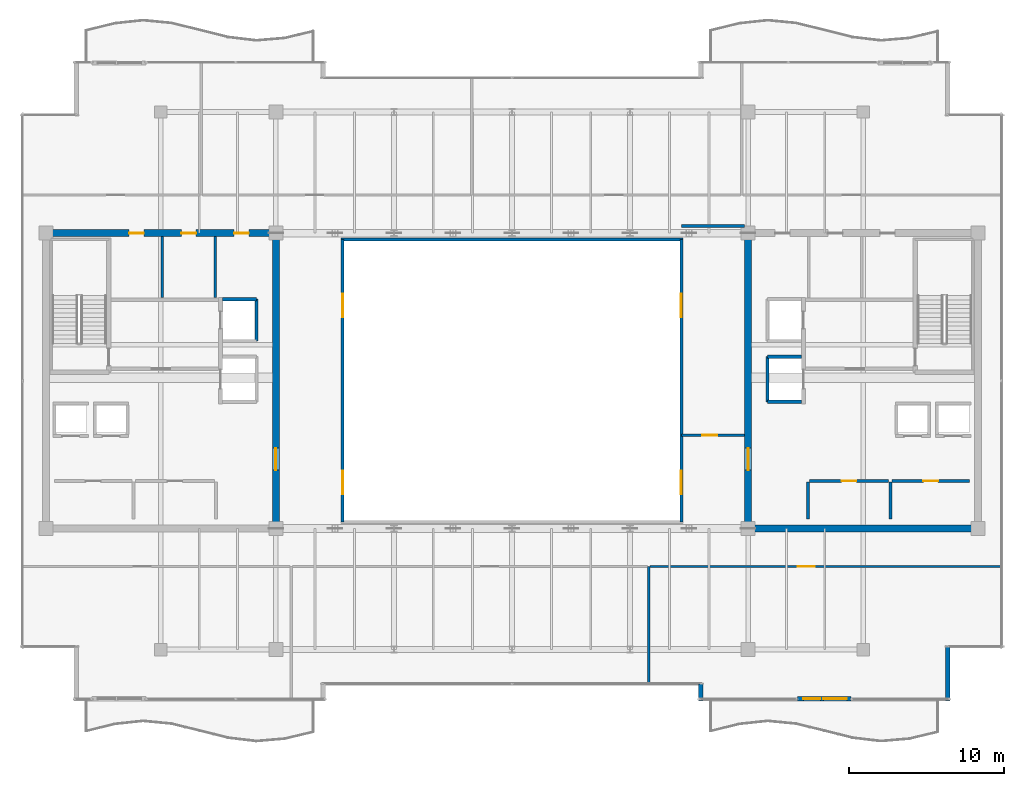
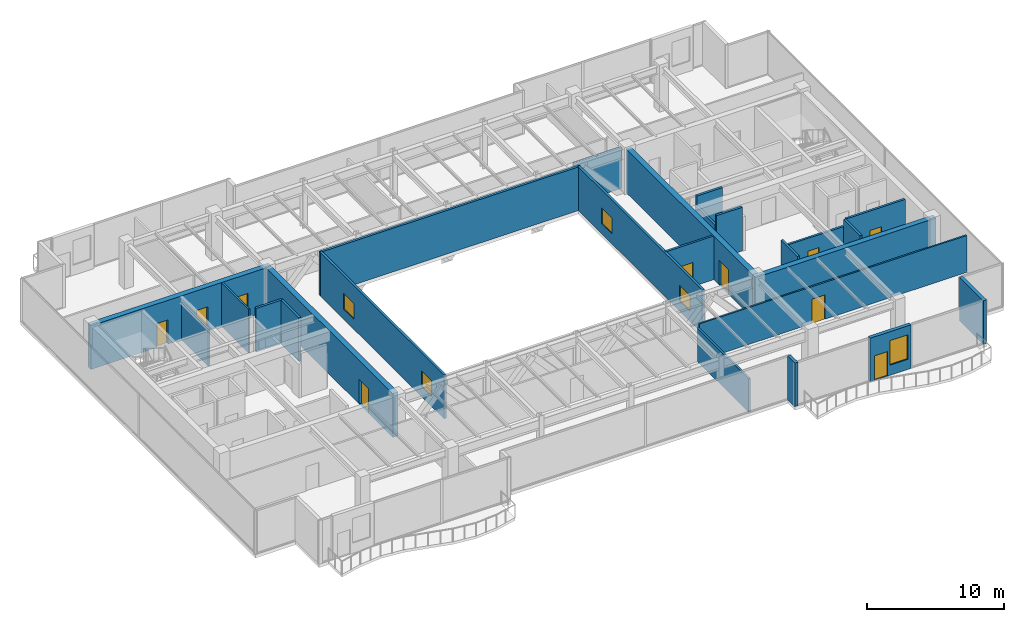
# One storey, part 26 of 31: 25 walls, 10 doors, 5 windows, 15 openings.
"""IFC4 building model written with IfcOpenShell, lengths in metres."""

from ifc_helpers import new_model, si_unit, direction, frame, frame_2d, origin, place, context, subcontext, project, spatial, rectangle, extrude, source, transform, mapped, material, layer, layer_set, type_object, type_shapes, element, fill, save


model = new_model("IFC4")

# Units and contexts
model_context = context("Model", 3, precision=1e-05, world=origin(), true_north=direction((0.0, 1.0)))
body_context = subcontext(model_context, "Body", "Model", "MODEL_VIEW")
ifc_project = project(units=[si_unit("LENGTHUNIT", "METRE"), si_unit("AREAUNIT", "SQUARE_METRE"), si_unit("VOLUMEUNIT", "CUBIC_METRE"), si_unit("PLANEANGLEUNIT", "RADIAN"), si_unit("MASSUNIT", "GRAM", prefix="KILO")], contexts=[model_context])

# Site, building, storey
site_placement = place(None, origin())
site = spatial("IfcSite", under=ifc_project, at=site_placement, CompositionType="ELEMENT")
building_placement = place(site_placement, origin())
building = spatial("IfcBuilding", under=site, at=building_placement, Name="Haelvirn Gate Laboratories", CompositionType="ELEMENT")
storey_placement = place(building_placement, frame((0.0, 0.0, 310.199951171875)))
storey = spatial("IfcBuildingStorey", under=building, at=storey_placement, Name="L74", CompositionType="ELEMENT", Elevation=310.199951171875)

# Wall, openings, door, window
ifc_material_1 = material(Name="Thermally-broken bronze aluminium rainscreen & mineral wool", Category="aluminium")
ifc_layer_1 = layer(ifc_material_1, 0.280029296875, Name="EW-TERR-280")
ifc_layer_set_1 = layer_set([ifc_layer_1], Name="Thermally-broken bronze aluminium rainscreen & mineral wool")
wall_type_1 = type_object("IfcWallType", Name="EW-TERR-280", PredefinedType="STANDARD", material=ifc_layer_set_1)
wall_1_placement = place(storey_placement, frame((55.77197265625, 3.840087890625, 0.0), z_axis=(0.0, 0.0, 1.0), x_axis=(1.0, 0.0, 0.0)))
wall_1 = element("IfcWall", 1, at=wall_1_placement, inside=storey, type_object=wall_type_1, Name="L74 Terrace Access Wall WB-EL-S", PredefinedType="STANDARD", context=body_context, shape_type="SweptSolid", body=[
    extrude(rectangle(XDim=3.4560546875, YDim=0.280029296875, at=frame_2d((1.72802734375, 0.0))), origin(), (0.0, 0.0, 1.0), 3.900146484375),
])
opening_1_placement = place(wall_1_placement, frame((0.3779296875, 0.0, 0.0)))
opening_1 = element("IfcOpeningElement", 2, at=opening_1_placement, cuts=wall_1, Name="Opening TD1", PredefinedType="OPENING", context=body_context, shape_type="SweptSolid", body=[
    extrude(rectangle(XDim=1.10009765625, YDim=2.199951171875, at=frame_2d((0.550048828125, 1.10009765625))), frame((0.0, 0.14990234375, 0.0), z_axis=(0.0, -1.0, 0.0), x_axis=(1.0, 0.0, 0.0)), (0.0, 0.0, 1.0), 0.300048828125),
])
opening_2_placement = place(wall_1_placement, frame((1.677978515625, 0.0, 0.89990234375)))
opening_2 = element("IfcOpeningElement", 3, at=opening_2_placement, cuts=wall_1, Name="Opening W3", PredefinedType="OPENING", context=body_context, shape_type="SweptSolid", body=[
    extrude(rectangle(XDim=1.5, YDim=2.199951171875, at=frame_2d((0.75, 1.10009765625))), frame((0.0, 0.14990234375, 0.0), z_axis=(0.0, -1.0, 0.0), x_axis=(1.0, 0.0, 0.0)), (0.0, 0.0, 1.0), 0.300048828125),
])
ifc_material_2 = material(Name="Thermally-broken bronze aluminium glazed terrace door", Category="aluminium")
door_type_1 = type_object("IfcDoorType", Name="DR-TERR-1100", OperationType="NOTDEFINED", PredefinedType="DOOR", material=ifc_material_2)
shared_shape_1 = source(origin(), body_context, "Body", "SweptSolid", [
    extrude(rectangle(XDim=1.10009765625, YDim=2.199951171875, at=frame_2d((0.550048828125, 1.10009765625))), frame((0.0, 0.02490234375, 0.0), z_axis=(0.0, -1.0, 0.0), x_axis=(1.0, 0.0, 0.0)), (0.0, 0.0, 1.0), 0.050048828125),
])
type_shapes(door_type_1, [shared_shape_1])
door_1_placement = place(opening_1_placement, origin())
door_1 = element("IfcDoor", 4, at=door_1_placement, inside=storey, type_object=door_type_1, Name="L74 Terrace Access Door WB-EL-S", OperationType="SINGLE_SWING_LEFT", OverallHeight=2.199951171875, OverallWidth=1.10009765625, PredefinedType="DOOR", context=body_context, shape_type="MappedRepresentation", body=[
    mapped(shared_shape_1, transform((0.0, 0.0, 0.0), scale=1.0)),
])
fill(opening_1, door_1)
ifc_material_3 = material(Name="Bronze anodised aluminium & triple low-E glass", Category="aluminium")
window_type_1 = type_object("IfcWindowType", Name="WIN-TERR-1600", PartitioningType="SINGLE_PANEL", PredefinedType="WINDOW", material=ifc_material_3)
shared_shape_2 = source(origin(), body_context, "Body", "SweptSolid", [
    extrude(rectangle(XDim=1.5, YDim=2.199951171875, at=frame_2d((0.75, 1.10009765625))), frame((0.0, 0.030029296875, 0.0), z_axis=(0.0, -1.0, 0.0), x_axis=(1.0, 0.0, 0.0)), (0.0, 0.0, 1.0), 0.06005859375),
])
type_shapes(window_type_1, [shared_shape_2])
window_1_placement = place(opening_2_placement, origin())
window_1 = element("IfcWindow", 5, at=window_1_placement, inside=storey, type_object=window_type_1, Name="L74 Terrace Vision Window WB-EL-S", OverallHeight=2.199951171875, OverallWidth=1.5, PartitioningType="SINGLE_PANEL", PredefinedType="WINDOW", context=body_context, shape_type="MappedRepresentation", body=[
    mapped(shared_shape_2, transform((0.0, 0.0, 0.0), scale=1.0)),
])
fill(opening_2, window_1)

# Walls
wall_2_placement = place(storey_placement, frame((49.5400390625, 4.79296875, 0.0), z_axis=(0.0, 0.0, 1.0), x_axis=(0.0, -1.0, 0.0)))
element("IfcWall", 6, at=wall_2_placement, inside=storey, type_object=wall_type_1, Name="L74 Atrium Recess Bronze Return Wall 03", PredefinedType="STANDARD", context=body_context, shape_type="SweptSolid", body=[
    extrude(rectangle(XDim=1.093017578125, YDim=0.280029296875, at=frame_2d((0.54638671875, 0.0))), origin(), (0.0, 0.0, 1.0), 3.900146484375),
])
wall_3_placement = place(storey_placement, frame((65.4599609375, 3.699951171875, 0.0), z_axis=(0.0, 0.0, 1.0), x_axis=(0.0, 1.0, 0.0)))
element("IfcWall", 7, at=wall_3_placement, inside=storey, type_object=wall_type_1, Name="L74 Atrium Recess Bronze Return Wall 05", PredefinedType="STANDARD", context=body_context, shape_type="SweptSolid", body=[
    extrude(rectangle(XDim=3.488037109375, YDim=0.280029296875, at=frame_2d((1.744140625, 0.0))), origin(), (0.0, 0.0, 1.0), 3.900146484375),
])
ifc_material_4 = material(Name="Double-layer acoustic gypsum laboratory partition", Category="gypsum")
ifc_layer_2 = layer(ifc_material_4, 0.159912109375, Name="IW-ACOUST-160")
ifc_layer_set_2 = layer_set([ifc_layer_2], Name="Double-layer acoustic gypsum laboratory partition")
wall_type_2 = type_object("IfcWallType", Name="IW-ACOUST-160", PredefinedType="PARTITIONING", material=ifc_layer_set_2)
wall_4_placement = place(storey_placement, frame((46.199951171875, 4.81005859375, 0.0), z_axis=(0.0, 0.0, 1.0), x_axis=(0.0, 1.0, 0.0)))
element("IfcWall", 8, at=wall_4_placement, inside=storey, type_object=wall_type_2, Name="L74 Interior Wall IW-L74-SDIV-02", PredefinedType="PARTITIONING", context=body_context, shape_type="SweptSolid", body=[
    extrude(rectangle(XDim=7.530029296875, YDim=0.159912109375, at=frame_2d((3.76513671875, 0.0))), origin(), (0.0, 0.0, 1.0), 2.985107421875),
])
ifc_material_5 = material(Name="Fire-rated acoustic gypsum board partition", Category="gypsum")
ifc_layer_3 = layer(ifc_material_5, 0.175048828125, Name="IW-ACOUST-180")
ifc_layer_set_3 = layer_set([ifc_layer_3], Name="Fire-rated acoustic gypsum board partition")
wall_type_3 = type_object("IfcWallType", Name="IW-ACOUST-180", PredefinedType="PARTITIONING", material=ifc_layer_set_3)
wall_5_placement = place(storey_placement, frame((48.300048828125, 34.260009765625, 0.0), z_axis=(0.0, 0.0, 1.0), x_axis=(1.0, 0.0, 0.0)))
element("IfcWall", 9, at=wall_5_placement, inside=storey, type_object=wall_type_3, Name="L74 Interior Wall IW-L74-EPOD-N", PredefinedType="PARTITIONING", context=body_context, shape_type="SweptSolid", body=[
    extrude(rectangle(XDim=4.074951171875, YDim=0.175048828125, at=frame_2d((2.03759765625, 0.0))), origin(), (0.0, 0.0, 1.0), 3.635009765625),
])

# Wall, opening, door
wall_6_placement = place(storey_placement, frame((48.300048828125, 20.800048828125, 0.0), z_axis=(0.0, 0.0, 1.0), x_axis=(1.0, 0.0, 0.0)))
wall_6 = element("IfcWall", 10, at=wall_6_placement, inside=storey, type_object=wall_type_3, Name="L74 Interior Wall IW-L74-EPOD-S", PredefinedType="PARTITIONING", context=body_context, shape_type="SweptSolid", body=[
    extrude(rectangle(XDim=4.074951171875, YDim=0.175048828125, at=frame_2d((2.03759765625, 0.0))), origin(), (0.0, 0.0, 1.0), 3.900146484375),
])
opening_3_placement = place(wall_6_placement, frame((1.35009765625, 0.0, 0.0)))
opening_3 = element("IfcOpeningElement", 11, at=opening_3_placement, cuts=wall_6, Name="Opening FD4", PredefinedType="OPENING", context=body_context, shape_type="SweptSolid", body=[
    extrude(rectangle(XDim=0.949951171875, YDim=2.14990234375, at=frame_2d((0.47509765625, 1.074951171875))), frame((0.0, 0.09765625, 0.0), z_axis=(0.0, -1.0, 0.0), x_axis=(1.0, 0.0, 0.0)), (0.0, 0.0, 1.0), 0.195068359375),
])
ifc_material_6 = material(Name="Fire-rated steel SM355 core service door", Category="steel")
door_type_2 = type_object("IfcDoorType", Name="DR-FD-950", OperationType="NOTDEFINED", PredefinedType="DOOR", material=ifc_material_6)
shared_shape_3 = source(origin(), body_context, "Body", "SweptSolid", [
    extrude(rectangle(XDim=0.949951171875, YDim=2.14990234375, at=frame_2d((0.47509765625, 1.074951171875))), frame((0.0, 0.02490234375, 0.0), z_axis=(0.0, -1.0, 0.0), x_axis=(1.0, 0.0, 0.0)), (0.0, 0.0, 1.0), 0.050048828125),
])
type_shapes(door_type_2, [shared_shape_3])
door_2_placement = place(opening_3_placement, origin())
door_2 = element("IfcDoor", 12, at=door_2_placement, inside=storey, type_object=door_type_2, Name="L74 High-Zone Collaboration Suite Door", OperationType="SINGLE_SWING_LEFT", OverallHeight=2.14990234375, OverallWidth=0.949951171875, PredefinedType="DOOR", context=body_context, shape_type="MappedRepresentation", body=[
    mapped(shared_shape_3, transform((0.0, 0.0, 0.0), scale=1.0)),
])
fill(opening_3, door_2)

# Wall, openings, windows
ifc_material_7 = material(Name="Tempered fire-rated borosilicate glass & anodised aluminium", Category="aluminium")
ifc_layer_4 = layer(ifc_material_7, 0.195068359375, Name="IW-GLAZ-200")
ifc_layer_set_4 = layer_set([ifc_layer_4], Name="Tempered fire-rated borosilicate glass & anodised aluminium")
wall_type_4 = type_object("IfcWallType", Name="IW-GLAZ-200", PredefinedType="SOLIDWALL", material=ifc_layer_set_4)
wall_7_placement = place(storey_placement, frame((26.5, 15.199951171875, 0.0), z_axis=(0.0, 0.0, 1.0), x_axis=(0.0, 1.0, 0.0)))
wall_7 = element("IfcWall", 13, at=wall_7_placement, inside=storey, type_object=wall_type_4, Name="L74 Interior Wall IW-L74-ATRIUM-W", PredefinedType="SOLIDWALL", context=body_context, shape_type="SweptSolid", body=[
    extrude(rectangle(XDim=18.199951171875, YDim=0.195068359375, at=frame_2d((9.10009765625, 0.0))), origin(), (0.0, 0.0, 1.0), 3.900146484375),
])
opening_4_placement = place(wall_7_placement, frame((1.800048828125, 0.0, 0.89990234375)))
opening_4 = element("IfcOpeningElement", 14, at=opening_4_placement, cuts=wall_7, Name="Opening W5", PredefinedType="OPENING", context=body_context, shape_type="SweptSolid", body=[
    extrude(rectangle(XDim=1.5, YDim=1.39990234375, at=frame_2d((0.75, 0.699951171875))), frame((0.0, 0.107421875, 0.0), z_axis=(0.0, -1.0, 0.0), x_axis=(1.0, 0.0, 0.0)), (0.0, 0.0, 1.0), 0.215087890625),
])
opening_5_placement = place(wall_7_placement, frame((13.199951171875, 0.0, 0.89990234375)))
opening_5 = element("IfcOpeningElement", 15, at=opening_5_placement, cuts=wall_7, Name="Opening W5", PredefinedType="OPENING", context=body_context, shape_type="SweptSolid", body=[
    extrude(rectangle(XDim=1.5, YDim=1.39990234375, at=frame_2d((0.75, 0.699951171875))), frame((0.0, 0.107421875, 0.0), z_axis=(0.0, -1.0, 0.0), x_axis=(1.0, 0.0, 0.0)), (0.0, 0.0, 1.0), 0.215087890625),
])
ifc_material_8 = material(Name="Fire-rated EI 120 borosilicate atrium vision glazing", Category="glass")
window_type_2 = type_object("IfcWindowType", Name="WN-ATR-1500", PartitioningType="SINGLE_PANEL", PredefinedType="WINDOW", material=ifc_material_8)
shared_shape_4 = source(origin(), body_context, "Body", "SweptSolid", [
    extrude(rectangle(XDim=1.5, YDim=1.39990234375, at=frame_2d((0.75, 0.699951171875))), frame((0.0, 0.030029296875, 0.0), z_axis=(0.0, -1.0, 0.0), x_axis=(1.0, 0.0, 0.0)), (0.0, 0.0, 1.0), 0.06005859375),
])
type_shapes(window_type_2, [shared_shape_4])
window_2_placement = place(opening_4_placement, origin())
window_2 = element("IfcWindow", 16, at=window_2_placement, inside=storey, type_object=window_type_2, Name="L74 Atrium Observation Window 1", OverallHeight=1.39990234375, OverallWidth=1.5, PartitioningType="SINGLE_PANEL", PredefinedType="WINDOW", context=body_context, shape_type="MappedRepresentation", body=[
    mapped(shared_shape_4, transform((0.0, 0.0, 0.0), scale=1.0)),
])
fill(opening_4, window_2)
window_3_placement = place(opening_5_placement, origin())
window_3 = element("IfcWindow", 17, at=window_3_placement, inside=storey, type_object=window_type_2, Name="L74 Atrium Observation Window 2", OverallHeight=1.39990234375, OverallWidth=1.5, PartitioningType="SINGLE_PANEL", PredefinedType="WINDOW", context=body_context, shape_type="MappedRepresentation", body=[
    mapped(shared_shape_4, transform((0.0, 0.0, 0.0), scale=1.0)),
])
fill(opening_5, window_3)

wall_8_placement = place(storey_placement, frame((48.300048828125, 15.199951171875, 0.0), z_axis=(0.0, 0.0, 1.0), x_axis=(0.0, 1.0, 0.0)))
wall_8 = element("IfcWall", 18, at=wall_8_placement, inside=storey, type_object=wall_type_4, Name="L74 Interior Wall IW-L74-ATRIUM-E", PredefinedType="SOLIDWALL", context=body_context, shape_type="SweptSolid", body=[
    extrude(rectangle(XDim=18.199951171875, YDim=0.195068359375, at=frame_2d((9.10009765625, 0.0))), origin(), (0.0, 0.0, 1.0), 3.900146484375),
])
opening_6_placement = place(wall_8_placement, frame((1.800048828125, 0.0, 0.89990234375)))
opening_6 = element("IfcOpeningElement", 19, at=opening_6_placement, cuts=wall_8, Name="Opening W5", PredefinedType="OPENING", context=body_context, shape_type="SweptSolid", body=[
    extrude(rectangle(XDim=1.5, YDim=1.39990234375, at=frame_2d((0.75, 0.699951171875))), frame((0.0, 0.107421875, 0.0), z_axis=(0.0, -1.0, 0.0), x_axis=(1.0, 0.0, 0.0)), (0.0, 0.0, 1.0), 0.215087890625),
])
opening_7_placement = place(wall_8_placement, frame((13.199951171875, 0.0, 0.89990234375)))
opening_7 = element("IfcOpeningElement", 20, at=opening_7_placement, cuts=wall_8, Name="Opening W5", PredefinedType="OPENING", context=body_context, shape_type="SweptSolid", body=[
    extrude(rectangle(XDim=1.5, YDim=1.39990234375, at=frame_2d((0.75, 0.699951171875))), frame((0.0, 0.107421875, 0.0), z_axis=(0.0, -1.0, 0.0), x_axis=(1.0, 0.0, 0.0)), (0.0, 0.0, 1.0), 0.215087890625),
])
window_4_placement = place(opening_6_placement, origin())
window_4 = element("IfcWindow", 21, at=window_4_placement, inside=storey, type_object=window_type_2, Name="L74 Atrium Observation Window 1", OverallHeight=1.39990234375, OverallWidth=1.5, PartitioningType="SINGLE_PANEL", PredefinedType="WINDOW", context=body_context, shape_type="MappedRepresentation", body=[
    mapped(shared_shape_4, transform((0.0, 0.0, 0.0), scale=1.0)),
])
fill(opening_6, window_4)
window_5_placement = place(opening_7_placement, origin())
window_5 = element("IfcWindow", 22, at=window_5_placement, inside=storey, type_object=window_type_2, Name="L74 Atrium Observation Window 2", OverallHeight=1.39990234375, OverallWidth=1.5, PartitioningType="SINGLE_PANEL", PredefinedType="WINDOW", context=body_context, shape_type="MappedRepresentation", body=[
    mapped(shared_shape_4, transform((0.0, 0.0, 0.0), scale=1.0)),
])
fill(opening_7, window_5)

# Wall
wall_9_placement = place(storey_placement, frame((26.39990234375, 33.39990234375, 0.0), z_axis=(0.0, 0.0, 1.0), x_axis=(1.0, 0.0, 0.0)))
element("IfcWall", 23, at=wall_9_placement, inside=storey, type_object=wall_type_4, Name="L74 Interior Wall IW-L74-ATRIUM-N", PredefinedType="SOLIDWALL", context=body_context, shape_type="SweptSolid", body=[
    extrude(rectangle(XDim=22.0, YDim=0.195068359375, at=frame_2d((11.0, 0.0))), origin(), (0.0, 0.0, 1.0), 3.900146484375),
])

# Wall, opening, door
ifc_material_9 = material(Name="Acoustic mineral-wool gypsum board partition", Category="gypsum")
ifc_layer_5 = layer(ifc_material_9, 0.139892578125, Name="IW-PART-140")
ifc_layer_set_5 = layer_set([ifc_layer_5], Name="Acoustic mineral-wool gypsum board partition")
wall_type_5 = type_object("IfcWallType", Name="IW-PART-140", PredefinedType="PARTITIONING", material=ifc_layer_set_5)
wall_10_placement = place(storey_placement, frame((46.280029296875, 12.340087890625, 0.0), z_axis=(0.0, 0.0, 1.0), x_axis=(1.0, 0.0, 0.0)))
wall_10 = element("IfcWall", 24, at=wall_10_placement, inside=storey, type_object=wall_type_5, Name="L74 Interior Wall IW-L74-SCORR-03", PredefinedType="PARTITIONING", context=body_context, shape_type="SweptSolid", body=[
    extrude(rectangle(XDim=22.60986328125, YDim=0.139892578125, at=frame_2d((11.304931640625, 0.0))), origin(), (0.0, 0.0, 1.0), 3.297119140625),
])
opening_8_placement = place(wall_10_placement, frame((9.50634765625, 0.0, 0.0)))
opening_8 = element("IfcOpeningElement", 25, at=opening_8_placement, cuts=wall_10, Name="Opening D1", PredefinedType="OPENING", context=body_context, shape_type="SweptSolid", body=[
    extrude(rectangle(XDim=1.10009765625, YDim=2.179931640625, at=frame_2d((0.550048828125, 1.08984375))), frame((0.0, 0.080078125, 0.0), z_axis=(0.0, -1.0, 0.0), x_axis=(1.0, 0.0, 0.0)), (0.0, 0.0, 1.0), 0.159912109375),
])
ifc_material_10 = material(Name="Vision-panel acoustic solid-core timber lab door", Category="wood")
door_type_3 = type_object("IfcDoorType", Name="DR-LAB-1100", OperationType="NOTDEFINED", PredefinedType="DOOR", material=ifc_material_10)
shared_shape_5 = source(origin(), body_context, "Body", "SweptSolid", [
    extrude(rectangle(XDim=1.10009765625, YDim=2.179931640625, at=frame_2d((0.550048828125, 1.08984375))), frame((0.0, 0.02490234375, 0.0), z_axis=(0.0, -1.0, 0.0), x_axis=(1.0, 0.0, 0.0)), (0.0, 0.0, 1.0), 0.050048828125),
])
type_shapes(door_type_3, [shared_shape_5])
door_3_placement = place(opening_8_placement, origin())
door_3 = element("IfcDoor", 26, at=door_3_placement, inside=storey, type_object=door_type_3, Name="L74 Protocol Briefing Training Room Door S3", OperationType="SINGLE_SWING_LEFT", OverallHeight=2.179931640625, OverallWidth=1.10009765625, PredefinedType="DOOR", context=body_context, shape_type="MappedRepresentation", body=[
    mapped(shared_shape_5, transform((0.0, 0.0, 0.0), scale=1.0)),
])
fill(opening_8, door_3)

# Walls
ifc_material_11 = material(Name="Cement-board restroom plumbing chase wall", Category="gypsum")
ifc_layer_6 = layer(ifc_material_11, 0.155029296875, Name="IW-PLUMB-160")
ifc_layer_set_6 = layer_set([ifc_layer_6], Name="Cement-board restroom plumbing chase wall")
wall_type_6 = type_object("IfcWallType", Name="IW-PLUMB-160", PredefinedType="PLUMBINGWALL", material=ifc_layer_set_6)
wall_11_placement = place(storey_placement, frame((14.889892578125, 29.64990234375, 0.0), z_axis=(0.0, 0.0, 1.0), x_axis=(0.0, 1.0, 0.0)))
element("IfcWall", 27, at=wall_11_placement, inside=storey, type_object=wall_type_6, Name="L74 Interior Wall IW-L74-W-CDIV-1", PredefinedType="PLUMBINGWALL", context=body_context, shape_type="SweptSolid", body=[
    extrude(rectangle(XDim=3.93017578125, YDim=0.155029296875, at=frame_2d((1.965087890625, 0.0))), origin(), (0.0, 0.0, 1.0), 3.297119140625),
])
wall_12_placement = place(storey_placement, frame((18.2900390625, 29.64990234375, 0.0), z_axis=(0.0, 0.0, 1.0), x_axis=(0.0, 1.0, 0.0)))
element("IfcWall", 28, at=wall_12_placement, inside=storey, type_object=wall_type_6, Name="L74 Interior Wall IW-L74-W-CDIV-2", PredefinedType="PLUMBINGWALL", context=body_context, shape_type="SweptSolid", body=[
    extrude(rectangle(XDim=3.93017578125, YDim=0.155029296875, at=frame_2d((1.965087890625, 0.0))), origin(), (0.0, 0.0, 1.0), 3.900146484375),
])

# Wall, opening, door
ifc_material_12 = material(Name="Concrete C40/50", Category="concrete")
ifc_layer_7 = layer(ifc_material_12, 0.179931640625, Name="IW-SHAFT-180")
ifc_layer_set_7 = layer_set([ifc_layer_7], Name="Concrete C40/50")
wall_type_7 = type_object("IfcWallType", Name="IW-SHAFT-180", PredefinedType="SOLIDWALL", material=ifc_layer_set_7)
wall_13_placement = place(storey_placement, frame((61.85009765625, 17.85009765625, 0.0), z_axis=(0.0, 0.0, 1.0), x_axis=(1.0, 0.0, 0.0)))
wall_13 = element("IfcWall", 29, at=wall_13_placement, inside=storey, type_object=wall_type_7, Name="L74 Interior Wall IW-L74-E-FREED-HN-1", PredefinedType="SOLIDWALL", context=body_context, shape_type="SweptSolid", body=[
    extrude(rectangle(XDim=5.0, YDim=0.179931640625, at=frame_2d((2.5, 0.0))), origin(), (0.0, 0.0, 1.0), 3.900146484375),
])
opening_9_placement = place(wall_13_placement, frame((2.02490234375, 0.0, 0.0)))
opening_9 = element("IfcOpeningElement", 30, at=opening_9_placement, cuts=wall_13, Name="Opening FD4", PredefinedType="OPENING", context=body_context, shape_type="SweptSolid", body=[
    extrude(rectangle(XDim=0.949951171875, YDim=2.14990234375, at=frame_2d((0.47509765625, 1.074951171875))), frame((0.0, 0.10009765625, 0.0), z_axis=(0.0, -1.0, 0.0), x_axis=(1.0, 0.0, 0.0)), (0.0, 0.0, 1.0), 0.199951171875),
])
door_4_placement = place(opening_9_placement, origin())
door_4 = element("IfcDoor", 31, at=door_4_placement, inside=storey, type_object=door_type_2, Name="L74 Cryogenic Specimen Biobank Door", OperationType="SINGLE_SWING_LEFT", OverallHeight=2.14990234375, OverallWidth=0.949951171875, PredefinedType="DOOR", context=body_context, shape_type="MappedRepresentation", body=[
    mapped(shared_shape_3, transform((0.0, 0.0, 0.0), scale=1.0)),
])
fill(opening_9, door_4)

# Wall
wall_14_placement = place(storey_placement, frame((61.760009765625, 15.39990234375, 0.0), z_axis=(0.0, 0.0, 1.0), x_axis=(0.0, 1.0, 0.0)))
element("IfcWall", 32, at=wall_14_placement, inside=storey, type_object=wall_type_7, Name="L74 Interior Wall IW-L74-E-FREED-HE-1", PredefinedType="SOLIDWALL", context=body_context, shape_type="SweptSolid", body=[
    extrude(rectangle(XDim=2.400146484375, YDim=0.179931640625, at=frame_2d((1.2001953125, 0.0))), origin(), (0.0, 0.0, 1.0), 3.900146484375),
])

# Wall, opening, door
wall_15_placement = place(storey_placement, frame((56.550048828125, 17.85009765625, 0.0), z_axis=(0.0, 0.0, 1.0), x_axis=(1.0, 0.0, 0.0)))
wall_15 = element("IfcWall", 33, at=wall_15_placement, inside=storey, type_object=wall_type_7, Name="L74 Interior Wall IW-L74-E-FREED-HN-2", PredefinedType="SOLIDWALL", context=body_context, shape_type="SweptSolid", body=[
    extrude(rectangle(XDim=5.099853515625, YDim=0.179931640625, at=frame_2d((2.5498046875, 0.0))), origin(), (0.0, 0.0, 1.0), 3.297119140625),
])
opening_10_placement = place(wall_15_placement, frame((2.074951171875, 0.0, 0.0)))
opening_10 = element("IfcOpeningElement", 34, at=opening_10_placement, cuts=wall_15, Name="Opening FD4", PredefinedType="OPENING", context=body_context, shape_type="SweptSolid", body=[
    extrude(rectangle(XDim=0.949951171875, YDim=2.14990234375, at=frame_2d((0.47509765625, 1.074951171875))), frame((0.0, 0.10009765625, 0.0), z_axis=(0.0, -1.0, 0.0), x_axis=(1.0, 0.0, 0.0)), (0.0, 0.0, 1.0), 0.199951171875),
])
door_5_placement = place(opening_10_placement, origin())
door_5 = element("IfcDoor", 35, at=door_5_placement, inside=storey, type_object=door_type_2, Name="L74 Cryo-Assay Preparation Laboratory Door", OperationType="SINGLE_SWING_RIGHT", OverallHeight=2.14990234375, OverallWidth=0.949951171875, PredefinedType="DOOR", context=body_context, shape_type="MappedRepresentation", body=[
    mapped(shared_shape_3, transform((0.0, 0.0, 0.0), scale=1.0)),
])
fill(opening_10, door_5)

# Walls
wall_16_placement = place(storey_placement, frame((56.4599609375, 15.39990234375, 0.0), z_axis=(0.0, 0.0, 1.0), x_axis=(0.0, 1.0, 0.0)))
element("IfcWall", 36, at=wall_16_placement, inside=storey, type_object=wall_type_7, Name="L74 Interior Wall IW-L74-E-FREED-HE-2", PredefinedType="SOLIDWALL", context=body_context, shape_type="SweptSolid", body=[
    extrude(rectangle(XDim=2.400146484375, YDim=0.179931640625, at=frame_2d((1.2001953125, 0.0))), origin(), (0.0, 0.0, 1.0), 3.900146484375),
])
ifc_layer_8 = layer(ifc_material_12, 0.199951171875, Name="IW-SHAFT-200")
ifc_layer_set_8 = layer_set([ifc_layer_8], Name="Concrete C40/50")
wall_type_8 = type_object("IfcWallType", Name="IW-SHAFT-200", PredefinedType="SOLIDWALL", material=ifc_layer_set_8)
wall_17_placement = place(storey_placement, frame((20.949951171875, 26.85009765625, 0.0), z_axis=(0.0, 0.0, 1.0), x_axis=(0.0, 1.0, 0.0)))
element("IfcWall", 37, at=wall_17_placement, inside=storey, type_object=wall_type_8, Name="L74 Interior Wall IW-L74-FL1-BK", PredefinedType="SOLIDWALL", context=body_context, shape_type="SweptSolid", body=[
    extrude(rectangle(XDim=2.699951171875, YDim=0.199951171875, at=frame_2d((1.35009765625, 0.0))), origin(), (0.0, 0.0, 1.0), 3.900146484375),
])
wall_18_placement = place(storey_placement, frame((18.760009765625, 29.550048828125, 0.0), z_axis=(0.0, 0.0, 1.0), x_axis=(1.0, 0.0, 0.0)))
element("IfcWall", 38, at=wall_18_placement, inside=storey, type_object=wall_type_8, Name="L74 Interior Wall IW-L74-FL1-N", PredefinedType="SOLIDWALL", context=body_context, shape_type="SweptSolid", body=[
    extrude(rectangle(XDim=2.18994140625, YDim=0.199951171875, at=frame_2d((1.094970703125, 0.0))), origin(), (0.0, 0.0, 1.0), 3.900146484375),
])
wall_19_placement = place(storey_placement, frame((53.85009765625, 22.949951171875, 0.0), z_axis=(0.0, 0.0, 1.0), x_axis=(0.0, 1.0, 0.0)))
element("IfcWall", 39, at=wall_19_placement, inside=storey, type_object=wall_type_8, Name="L74 Interior Wall IW-L74-SL2-BK", PredefinedType="SOLIDWALL", context=body_context, shape_type="SweptSolid", body=[
    extrude(rectangle(XDim=2.900146484375, YDim=0.199951171875, at=frame_2d((1.4501953125, 0.0))), origin(), (0.0, 0.0, 1.0), 3.03515625),
])
for number, where, z_axis, x_axis, name in (
    (40, (53.85009765625, 25.85009765625, 0.0), (0.0, 0.0, 1.0), (1.0, 0.0, 0.0), "L74 Interior Wall IW-L74-SL2-N"),
    (41, (53.85009765625, 22.949951171875, 0.0), (0.0, 0.0, 1.0), (1.0, 0.0, 0.0), "L74 Interior Wall IW-L74-SL2-S"),
):
    element("IfcWall", number, at=place(storey_placement, frame(where, z_axis=z_axis, x_axis=x_axis)), inside=storey, type_object=wall_type_8, Name=name, PredefinedType="SOLIDWALL", context=body_context, shape_type="SweptSolid", body=[
        extrude(rectangle(XDim=2.18994140625, YDim=0.199951171875, at=frame_2d((1.094970703125, 0.0))), origin(), (0.0, 0.0, 1.0), 3.900146484375),
    ])

# Wall, openings, doors
ifc_material_13 = material(Name="Concrete C50/60", Category="concrete")
ifc_layer_9 = layer(ifc_material_13, 0.449951171875, Name="SW-CORE-450")
ifc_layer_set_9 = layer_set([ifc_layer_9], Name="Concrete C50/60")
wall_type_9 = type_object("IfcWallType", Name="SW-CORE-450", PredefinedType="SHEAR", material=ifc_layer_set_9)
wall_20_placement = place(storey_placement, frame((7.175048828125, 33.800048828125, 0.0), z_axis=(0.0, 0.0, 1.0), x_axis=(1.0, 0.0, 0.0)))
wall_20 = element("IfcWall", 42, at=wall_20_placement, inside=storey, type_object=wall_type_9, Name="L74 W Core Shear Wall N", PredefinedType="SHEAR", context=body_context, shape_type="SweptSolid", body=[
    extrude(rectangle(XDim=15.25, YDim=0.449951171875, at=frame_2d((7.625, 0.0))), origin(), (0.0, 0.0, 1.0), 3.900146484375),
])
opening_11_placement = place(wall_20_placement, frame((5.574951171875, 0.0, 0.0)))
opening_11 = element("IfcOpeningElement", 43, at=opening_11_placement, cuts=wall_20, Name="Opening FD4", PredefinedType="OPENING", context=body_context, shape_type="SweptSolid", body=[
    extrude(rectangle(XDim=0.949951171875, YDim=2.14990234375, at=frame_2d((0.47509765625, 1.074951171875))), frame((0.0, 0.23486328125, 0.0), z_axis=(0.0, -1.0, 0.0), x_axis=(1.0, 0.0, 0.0)), (0.0, 0.0, 1.0), 0.469970703125),
])
opening_12_placement = place(wall_20_placement, frame((8.93994140625, 0.0, 0.0)))
opening_12 = element("IfcOpeningElement", 44, at=opening_12_placement, cuts=wall_20, Name="Opening FD4", PredefinedType="OPENING", context=body_context, shape_type="SweptSolid", body=[
    extrude(rectangle(XDim=0.949951171875, YDim=2.14990234375, at=frame_2d((0.47509765625, 1.074951171875))), frame((0.0, 0.23486328125, 0.0), z_axis=(0.0, -1.0, 0.0), x_axis=(1.0, 0.0, 0.0)), (0.0, 0.0, 1.0), 0.469970703125),
])
opening_13_placement = place(wall_20_placement, frame((12.340087890625, 0.0, 0.0)))
opening_13 = element("IfcOpeningElement", 45, at=opening_13_placement, cuts=wall_20, Name="Opening FD4", PredefinedType="OPENING", context=body_context, shape_type="SweptSolid", body=[
    extrude(rectangle(XDim=0.949951171875, YDim=2.14990234375, at=frame_2d((0.47509765625, 1.074951171875))), frame((0.0, 0.23486328125, 0.0), z_axis=(0.0, -1.0, 0.0), x_axis=(1.0, 0.0, 0.0)), (0.0, 0.0, 1.0), 0.469970703125),
])
door_6_placement = place(opening_11_placement, origin())
door_6 = element("IfcDoor", 46, at=door_6_placement, inside=storey, type_object=door_type_2, Name="L74 Male Restroom Fire Door", OperationType="SINGLE_SWING_LEFT", OverallHeight=2.14990234375, OverallWidth=0.949951171875, PredefinedType="DOOR", context=body_context, shape_type="MappedRepresentation", body=[
    mapped(shared_shape_3, transform((0.0, 0.0, 0.0), scale=1.0)),
])
fill(opening_11, door_6)
door_7_placement = place(opening_12_placement, origin())
door_7 = element("IfcDoor", 47, at=door_7_placement, inside=storey, type_object=door_type_2, Name="L74 Female Restroom Fire Door", OperationType="SINGLE_SWING_RIGHT", OverallHeight=2.14990234375, OverallWidth=0.949951171875, PredefinedType="DOOR", context=body_context, shape_type="MappedRepresentation", body=[
    mapped(shared_shape_3, transform((0.0, 0.0, 0.0), scale=1.0)),
])
fill(opening_12, door_7)
door_8_placement = place(opening_13_placement, origin())
door_8 = element("IfcDoor", 48, at=door_8_placement, inside=storey, type_object=door_type_2, Name="L74 Accessible Restroom Fire Door", OperationType="SINGLE_SWING_LEFT", OverallHeight=2.14990234375, OverallWidth=0.949951171875, PredefinedType="DOOR", context=body_context, shape_type="MappedRepresentation", body=[
    mapped(shared_shape_3, transform((0.0, 0.0, 0.0), scale=1.0)),
])
fill(opening_13, door_8)

# Wall, opening, door
wall_21_placement = place(storey_placement, frame((22.199951171875, 15.02490234375, 0.0), z_axis=(0.0, 0.0, 1.0), x_axis=(0.0, 1.0, 0.0)))
wall_21 = element("IfcWall", 49, at=wall_21_placement, inside=storey, type_object=wall_type_9, Name="L74 W Core Shear Wall E", PredefinedType="SHEAR", context=body_context, shape_type="SweptSolid", body=[
    extrude(rectangle(XDim=18.550048828125, YDim=0.449951171875, at=frame_2d((9.27490234375, 0.0))), origin(), (0.0, 0.0, 1.0), 3.900146484375),
])
opening_14_placement = place(wall_21_placement, frame((3.52490234375, 0.0, 0.0)))
opening_14 = element("IfcOpeningElement", 50, at=opening_14_placement, cuts=wall_21, Name="Opening FD1", PredefinedType="OPENING", context=body_context, shape_type="SweptSolid", body=[
    extrude(rectangle(XDim=1.419921875, YDim=2.199951171875, at=frame_2d((0.7099609375, 1.10009765625))), frame((0.0, 0.23486328125, 0.0), z_axis=(0.0, -1.0, 0.0), x_axis=(1.0, 0.0, 0.0)), (0.0, 0.0, 1.0), 0.469970703125),
])
ifc_material_14 = material(Name="Fire-rated double steel SM355 lobby door", Category="steel")
door_type_4 = type_object("IfcDoorType", Name="DR-FD-1400", OperationType="NOTDEFINED", PredefinedType="DOOR", material=ifc_material_14)
shared_shape_6 = source(origin(), body_context, "Body", "SweptSolid", [
    extrude(rectangle(XDim=1.419921875, YDim=2.199951171875, at=frame_2d((0.7099609375, 1.10009765625))), frame((0.0, 0.02490234375, 0.0), z_axis=(0.0, -1.0, 0.0), x_axis=(1.0, 0.0, 0.0)), (0.0, 0.0, 1.0), 0.050048828125),
])
type_shapes(door_type_4, [shared_shape_6])
door_9_placement = place(opening_14_placement, origin())
door_9 = element("IfcDoor", 51, at=door_9_placement, inside=storey, type_object=door_type_4, Name="L74 West Core Lift Lobby Fire Door", OperationType="DOUBLE_DOOR_SINGLE_SWING", OverallHeight=2.199951171875, OverallWidth=1.419921875, PredefinedType="DOOR", context=body_context, shape_type="MappedRepresentation", body=[
    mapped(shared_shape_6, transform((0.0, 0.0, 0.0), scale=1.0)),
])
fill(opening_14, door_9)

# Wall
wall_22_placement = place(storey_placement, frame((52.375, 14.800048828125, 0.0), z_axis=(0.0, 0.0, 1.0), x_axis=(1.0, 0.0, 0.0)))
element("IfcWall", 52, at=wall_22_placement, inside=storey, type_object=wall_type_9, Name="L74 E Core Shear Wall S", PredefinedType="SHEAR", context=body_context, shape_type="SweptSolid", body=[
    extrude(rectangle(XDim=15.25, YDim=0.449951171875, at=frame_2d((7.625, 0.0))), origin(), (0.0, 0.0, 1.0), 3.900146484375),
])

# Wall, opening, door
wall_23_placement = place(storey_placement, frame((52.60009765625, 15.02490234375, 0.0), z_axis=(0.0, 0.0, 1.0), x_axis=(0.0, 1.0, 0.0)))
wall_23 = element("IfcWall", 53, at=wall_23_placement, inside=storey, type_object=wall_type_9, Name="L74 E Core Shear Wall W", PredefinedType="SHEAR", context=body_context, shape_type="SweptSolid", body=[
    extrude(rectangle(XDim=18.550048828125, YDim=0.449951171875, at=frame_2d((9.27490234375, 0.0))), origin(), (0.0, 0.0, 1.0), 3.900146484375),
])
opening_15_placement = place(wall_23_placement, frame((3.52490234375, 0.0, 0.0)))
opening_15 = element("IfcOpeningElement", 54, at=opening_15_placement, cuts=wall_23, Name="Opening FD1", PredefinedType="OPENING", context=body_context, shape_type="SweptSolid", body=[
    extrude(rectangle(XDim=1.419921875, YDim=2.199951171875, at=frame_2d((0.7099609375, 1.10009765625))), frame((0.0, 0.23486328125, 0.0), z_axis=(0.0, -1.0, 0.0), x_axis=(1.0, 0.0, 0.0)), (0.0, 0.0, 1.0), 0.469970703125),
])
door_10_placement = place(opening_15_placement, origin())
door_10 = element("IfcDoor", 55, at=door_10_placement, inside=storey, type_object=door_type_4, Name="L74 East Core Lift Lobby Fire Door", OperationType="DOUBLE_DOOR_SINGLE_SWING", OverallHeight=2.199951171875, OverallWidth=1.419921875, PredefinedType="DOOR", context=body_context, shape_type="MappedRepresentation", body=[
    mapped(shared_shape_6, transform((0.0, 0.0, 0.0), scale=1.0)),
])
fill(opening_15, door_10)

save(model, "model.ifc")
